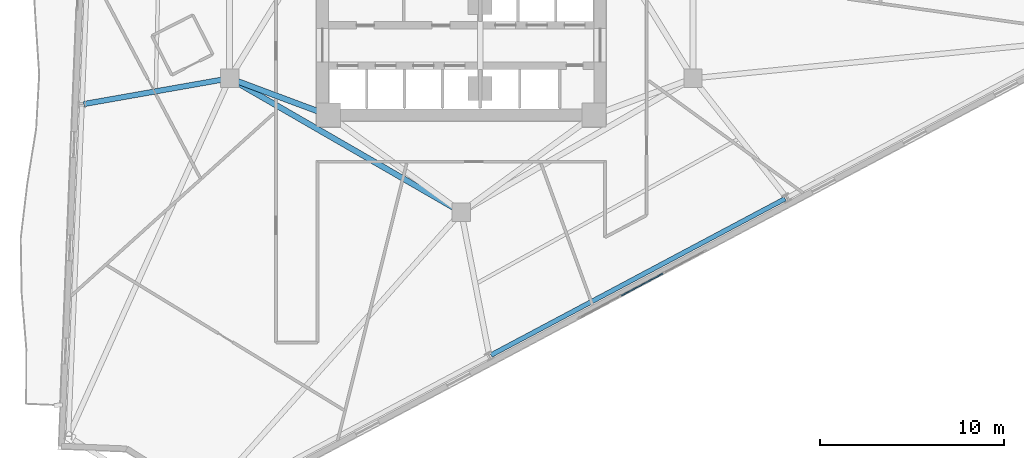
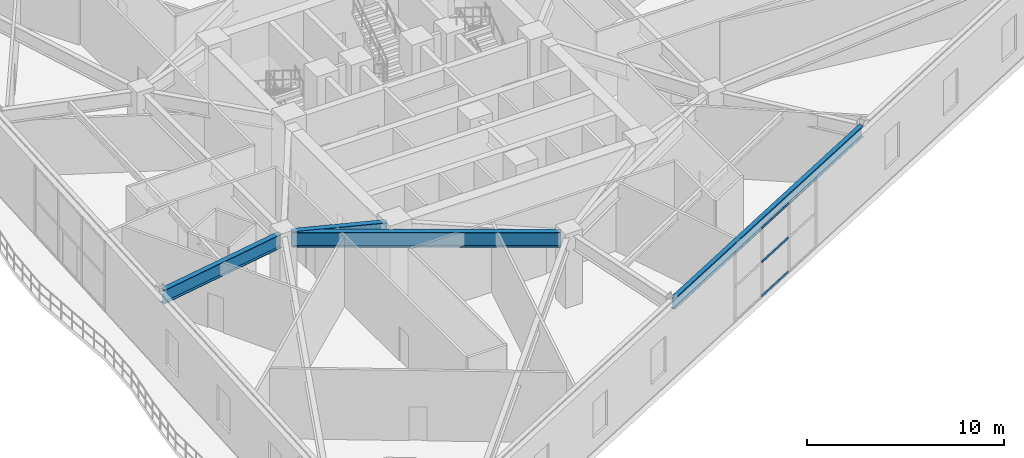
# One storey, part 4 of 22: 4 beams, 3 members, 1 element without a shape of its own.
"""IFC4 building model written with IfcOpenShell, lengths in metres."""

from ifc_helpers import new_model, si_unit, direction, frame, origin, origin_2d, place, context, subcontext, project, spatial, rectangle, i_section, extrude, material, layer, layer_set, material_profile, profile_set, type_object, element, aggregate, save


model = new_model("IFC4")

# Units and contexts
model_context = context("Model", 3, precision=1e-05, world=origin(), true_north=direction((0.0, 1.0)))
body_context = subcontext(model_context, "Body", "Model", "MODEL_VIEW")
ifc_project = project(units=[si_unit("LENGTHUNIT", "METRE"), si_unit("AREAUNIT", "SQUARE_METRE"), si_unit("VOLUMEUNIT", "CUBIC_METRE"), si_unit("PLANEANGLEUNIT", "RADIAN"), si_unit("MASSUNIT", "GRAM", prefix="KILO")], contexts=[model_context])

# Site, building, storey
site_placement = place(None, origin())
site = spatial("IfcSite", under=ifc_project, at=site_placement, CompositionType="ELEMENT")
building_placement = place(site_placement, origin())
building = spatial("IfcBuilding", under=site, at=building_placement, Name="Apsidion Concourse Tower", CompositionType="ELEMENT")
storey_placement = place(building_placement, frame((0.0, 0.0, 160.89990234375)))
storey = spatial("IfcBuildingStorey", under=building, at=storey_placement, Name="L37", CompositionType="ELEMENT", Elevation=160.89990234375)

# Beams
ifc_material_1 = material(Name="Structural steel ASTM A992 Grade 50", Category="steel")
ifc_material_profile_1 = material_profile(ifc_material_1, i_section(OverallWidth=0.2919921875, OverallDepth=0.85888671875, WebThickness=0.01708984375, FlangeThickness=0.031005859375, at=origin_2d()), Name="W33X169")
ifc_profile_set_1 = profile_set([ifc_material_profile_1], Name="Structural steel ASTM A992 Grade 50")
beam_type_1 = type_object("IfcBeamType", Name="BM-G-W33", PredefinedType="USERDEFINED", material=ifc_profile_set_1)
beam_1_placement = place(storey_placement, frame((-12.776611328125, -7.2880859375, 3.920654296875), z_axis=(-0.9848005578, -0.173688978798, 0.0), x_axis=(0.173688978798, -0.9848005578, 0.0)))
element("IfcBeam", 1, at=beam_1_placement, inside=storey, type_object=beam_type_1, Name="L37 Radial Floor Girder RAD-03", ObjectType="GIRDER", PredefinedType="USERDEFINED", context=body_context, shape_type="SweptSolid", body=[
    extrude(i_section(OverallWidth=0.2919921875, OverallDepth=0.85888671875, WebThickness=0.01708984375, FlangeThickness=0.031005859375, at=origin_2d()), origin(), (0.0, 0.0, 1.0), 7.805419921875),
])
ifc_material_profile_2 = material_profile(ifc_material_1, i_section(OverallWidth=0.31005859375, OverallDepth=0.931884765625, WebThickness=0.02099609375, FlangeThickness=0.034423828125, at=origin_2d()), Name="W36X210")
ifc_profile_set_2 = profile_set([ifc_material_profile_2], Name="Structural steel ASTM A992 Grade 50")
beam_type_2 = type_object("IfcBeamType", Name="BM-G-W36", PredefinedType="USERDEFINED", material=ifc_profile_set_2)
beam_2_placement = place(storey_placement, frame((-12.185302734375, -7.389892578125, 3.884033203125), z_axis=(0.936913021145, -0.349562570664, 0.0), x_axis=(0.349562570664, 0.936913021145, 0.0)))
element("IfcBeam", 2, at=beam_2_placement, inside=storey, type_object=beam_type_2, Name="L37 Core Coupling Girder IC1-SC1", ObjectType="GIRDER", PredefinedType="USERDEFINED", context=body_context, shape_type="SweptSolid", body=[
    extrude(i_section(OverallWidth=0.31005859375, OverallDepth=0.931884765625, WebThickness=0.02099609375, FlangeThickness=0.034423828125, at=origin_2d()), origin(), (0.0, 0.0, 1.0), 4.921142578125),
])
beam_3_placement = place(storey_placement, frame((-0.346435546875, -14.300048828125, 3.884033203125), z_axis=(-0.866070471464, 0.499921932364, 0.0), x_axis=(-0.499921932364, -0.866070471464, 0.0)))
element("IfcBeam", 3, at=beam_3_placement, inside=storey, type_object=beam_type_2, Name="L37 Core Coupling Girder IC6-IC1", ObjectType="GIRDER", PredefinedType="USERDEFINED", context=body_context, shape_type="SweptSolid", body=[
    extrude(i_section(OverallWidth=0.31005859375, OverallDepth=0.931884765625, WebThickness=0.02099609375, FlangeThickness=0.034423828125, at=origin_2d()), origin(), (0.0, 0.0, 1.0), 13.702392578125),
])
ifc_material_profile_3 = material_profile(ifc_material_1, i_section(OverallWidth=0.256103515625, OverallDepth=0.693115234375, WebThickness=0.014404296875, FlangeThickness=0.023681640625, at=origin_2d()), Name="W27X114")
ifc_profile_set_3 = profile_set([ifc_material_profile_3], Name="Structural steel ASTM A992 Grade 50")
beam_type_3 = type_object("IfcBeamType", Name="BM-SP-W27", PredefinedType="SPANDREL", material=ifc_profile_set_3)
beam_4_placement = place(storey_placement, frame((1.608154296875, -22.255126953125, 4.003662109375), z_axis=(0.88294585151, 0.469474837771, 0.0), x_axis=(-0.469474837771, 0.88294585151, 0.0)))
element("IfcBeam", 4, at=beam_4_placement, inside=storey, type_object=beam_type_3, Name="L37 Perimeter Spandrel Girder SP-06", PredefinedType="SPANDREL", context=body_context, shape_type="SweptSolid", body=[
    extrude(i_section(OverallWidth=0.256103515625, OverallDepth=0.693115234375, WebThickness=0.014404296875, FlangeThickness=0.023681640625, at=origin_2d()), origin(), (0.0, 0.0, 1.0), 18.056396484375),
])

# Curtain wall, members
ifc_material_2 = material(Name="Insulated laminated low-E glass", Category="glass")
ifc_layer = layer(ifc_material_2, 0.2099609375)
ifc_layer_set = layer_set([ifc_layer], Name="Insulated laminated low-E glass")
curtain_wall_type = type_object("IfcCurtainWallType", Name="CW-SYS-03", PredefinedType="NOTDEFINED", material=ifc_layer_set)
curtain_wall_placement = place(storey_placement, origin())
curtain_wall = element("IfcCurtainWall", 5, at=curtain_wall_placement, inside=storey, type_object=curtain_wall_type, Name="L37 Sky Lobby Curtain Wall 5", PredefinedType="NOTDEFINED")
ifc_material_3 = material(Name="Anodised aluminium EN AW-6063 T6", Category="aluminium")
ifc_material_profile_4 = material_profile(ifc_material_3, rectangle(XDim=0.06494140625, YDim=0.139892578125, at=origin_2d()), Name="ALU TRANSOM 65x140")
ifc_profile_set_4 = profile_set([ifc_material_profile_4], Name="Anodised aluminium EN AW-6063 T6")
member_type = type_object("IfcMemberType", Name="CWT-65X140", PredefinedType="USERDEFINED", material=ifc_profile_set_4)
member_1_placement = place(storey_placement, frame((10.922119140625, -17.8349609375, 0.03271484375), z_axis=(-0.882924082338, -0.469515776974, 0.0), x_axis=(0.469515776974, -0.882924082338, 0.0)))
member_1 = element("IfcMember", 6, at=member_1_placement, type_object=member_type, Name="CW-03 transom 2.1", ObjectType="TRANSOM", PredefinedType="USERDEFINED", context=body_context, shape_type="SweptSolid", body=[
    extrude(rectangle(XDim=0.06494140625, YDim=0.139892578125, at=origin_2d()), origin(), (0.0, 0.0, 1.0), 2.541259765625),
])
member_2_placement = place(storey_placement, frame((10.922119140625, -17.8349609375, 2.150146484375), z_axis=(-0.882924082338, -0.469515776974, 0.0), x_axis=(0.469515776974, -0.882924082338, 0.0)))
member_2 = element("IfcMember", 7, at=member_2_placement, type_object=member_type, Name="CW-03 transom 2.2", ObjectType="TRANSOM", PredefinedType="USERDEFINED", context=body_context, shape_type="SweptSolid", body=[
    extrude(rectangle(XDim=0.06494140625, YDim=0.139892578125, at=origin_2d()), origin(), (0.0, 0.0, 1.0), 2.541259765625),
])
member_3_placement = place(storey_placement, frame((10.922119140625, -17.8349609375, 4.267578125), z_axis=(-0.882924082338, -0.469515776974, 0.0), x_axis=(0.469515776974, -0.882924082338, 0.0)))
member_3 = element("IfcMember", 8, at=member_3_placement, type_object=member_type, Name="CW-03 transom 2.3", ObjectType="TRANSOM", PredefinedType="USERDEFINED", context=body_context, shape_type="SweptSolid", body=[
    extrude(rectangle(XDim=0.06494140625, YDim=0.139892578125, at=origin_2d()), origin(), (0.0, 0.0, 1.0), 2.541259765625),
])
aggregate(curtain_wall, [member_1, member_2, member_3])

save(model, "model.ifc")
